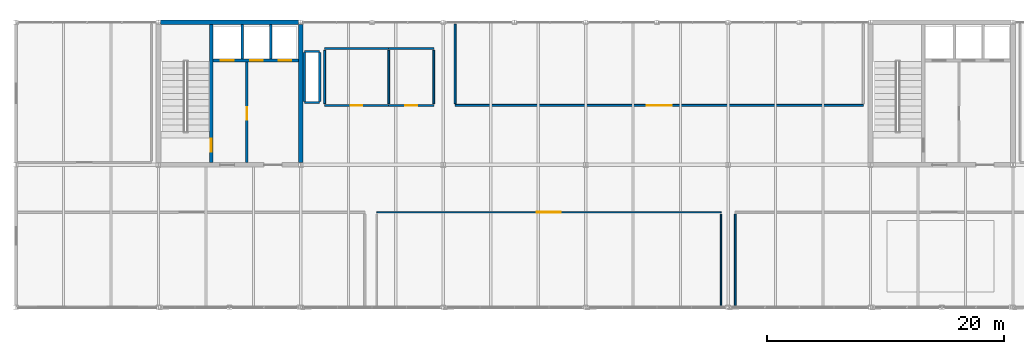
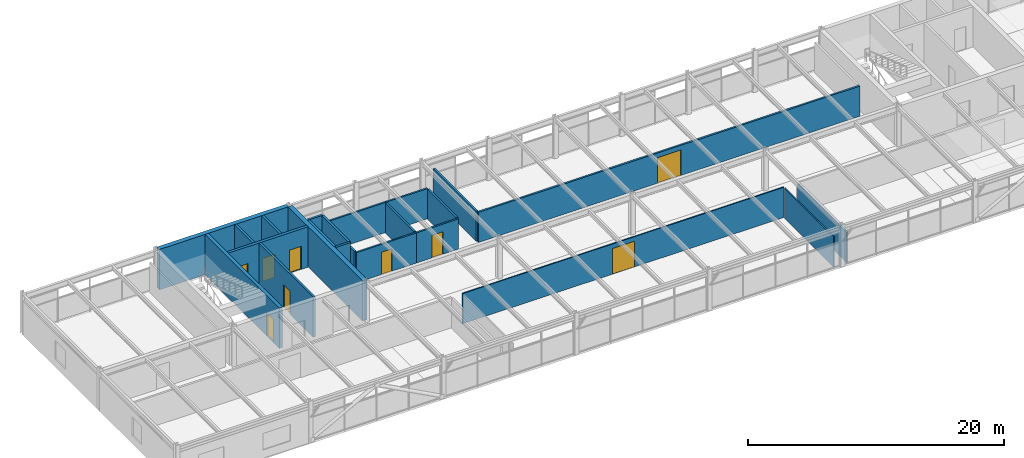
# One storey, part 36 of 40: 23 walls, 9 doors, 9 openings.
"""IFC4 building model written with IfcOpenShell, lengths in metres."""

from ifc_helpers import new_model, si_unit, direction, frame, frame_2d, origin, place, context, subcontext, project, spatial, rectangle, extrude, material, layer, layer_set, type_object, element, fill, save


model = new_model("IFC4")

# Units and contexts
model_context = context("Model", 3, precision=1e-05, world=origin(), true_north=direction((0.0, 1.0)))
body_context = subcontext(model_context, "Body", "Model", "MODEL_VIEW")
ifc_project = project(units=[si_unit("LENGTHUNIT", "METRE"), si_unit("AREAUNIT", "SQUARE_METRE"), si_unit("VOLUMEUNIT", "CUBIC_METRE"), si_unit("PLANEANGLEUNIT", "RADIAN"), si_unit("MASSUNIT", "GRAM", prefix="KILO")], contexts=[model_context])

# Site, building, storey
site_placement = place(None, origin())
site = spatial("IfcSite", under=ifc_project, at=site_placement, CompositionType="ELEMENT")
building_placement = place(site_placement, origin())
building = spatial("IfcBuilding", under=site, at=building_placement, Name="Girod Span Mobility Hub", CompositionType="ELEMENT")
storey_placement = place(building_placement, frame((0.0, 0.0, 57.60009765625)))
storey = spatial("IfcBuildingStorey", under=building, at=storey_placement, Name="L14", CompositionType="ELEMENT", Elevation=57.60009765625)

# Walls
ifc_material_1 = material(Name="Concrete C40/50", Category="concrete")
ifc_layer_1 = layer(ifc_material_1, 0.39990234375)
ifc_layer_set_1 = layer_set([ifc_layer_1], Name="Concrete C40/50")
wall_type_1 = type_object("IfcWallType", Name="W-CW-400", PredefinedType="SHEAR", material=ifc_layer_set_1)
wall_1_placement = place(storey_placement, frame((48.181396484375, 69.0, 0.0), z_axis=(0.0, 0.0, 1.0), x_axis=(1.0, 0.0, 0.0)))
element("IfcWall", 1, at=wall_1_placement, inside=storey, type_object=wall_type_1, Name="Core C1 Shear Wall N L14", PredefinedType="SHEAR", context=body_context, shape_type="SweptSolid", body=[
    extrude(rectangle(XDim=11.63720703125, YDim=0.39990234375, at=frame_2d((5.818603515625, 0.0))), origin(), (0.0, 0.0, 1.0), 3.852783203125),
])
wall_2_placement = place(storey_placement, frame((60.0, 57.1845703125, 0.0), z_axis=(0.0, 0.0, 1.0), x_axis=(0.0, 1.0, 0.0)))
element("IfcWall", 2, at=wall_2_placement, inside=storey, type_object=wall_type_1, Name="Core C1 Shear Wall E L14", PredefinedType="SHEAR", context=body_context, shape_type="SweptSolid", body=[
    extrude(rectangle(XDim=11.640380859375, YDim=0.39990234375, at=frame_2d((5.8203125, 0.0))), origin(), (0.0, 0.0, 1.0), 3.852783203125),
])

# Wall, opening, door
ifc_material_2 = material(Name="Concrete C40/50", Category="concrete")
ifc_layer_2 = layer(ifc_material_2, 0.18994140625)
ifc_layer_set_2 = layer_set([ifc_layer_2], Name="Concrete C40/50")
wall_type_2 = type_object("IfcWallType", Name="W-FL-190", PredefinedType="SOLIDWALL", material=ifc_layer_set_2)
wall_3_placement = place(storey_placement, frame((55.449951171875, 57.199951171875, 0.0), z_axis=(0.0, 0.0, 1.0), x_axis=(0.0, 1.0, 0.0)))
wall_3 = element("IfcWall", 3, at=wall_3_placement, inside=storey, type_object=wall_type_2, Name="Core C1 Firefighting Lobby Wall L14", PredefinedType="SOLIDWALL", context=body_context, shape_type="SweptSolid", body=[
    extrude(rectangle(XDim=8.47998046875, YDim=0.18994140625, at=frame_2d((4.239990234375, 0.0))), origin(), (0.0, 0.0, 1.0), 3.843017578125),
])
opening_1_placement = place(wall_3_placement, frame((3.60009765625, 0.0, 0.0)))
opening_1 = element("IfcOpeningElement", 4, at=opening_1_placement, cuts=wall_3, Name="Opening D-FLX-C1-L14", PredefinedType="OPENING", context=body_context, shape_type="SweptSolid", body=[
    extrude(rectangle(XDim=1.0400390625, YDim=2.179931640625, at=frame_2d((0.52001953125, 1.08984375))), frame((0.0, 0.10986328125, 0.0), z_axis=(0.0, -1.0, 0.0), x_axis=(1.0, 0.0, 0.0)), (0.0, 0.0, 1.0), 0.219970703125),
])
ifc_material_3 = material(Name="Fire-Rated Insulated Hollow Metal Steel", Category="steel")
door_type_1 = type_object("IfcDoorType", Name="DT-FD-02", OperationType="NOTDEFINED", PredefinedType="DOOR", material=ifc_material_3)
door_1_placement = place(opening_1_placement, origin())
door_1 = element("IfcDoor", 5, at=door_1_placement, inside=storey, type_object=door_type_1, Name="Firefighting Lobby Interconnect Door C1 L14", OperationType="SINGLE_SWING_RIGHT", OverallHeight=2.179931640625, OverallWidth=1.0400390625, PredefinedType="DOOR", context=body_context, shape_type="SweptSolid", body=[
    extrude(rectangle(XDim=1.0400390625, YDim=2.179931640625, at=frame_2d((0.52001953125, 1.08984375))), frame((0.0, 0.02490234375, 0.0), z_axis=(0.0, -1.0, 0.0), x_axis=(1.0, 0.0, 0.0)), (0.0, 0.0, 1.0), 0.050048828125),
])
fill(opening_1, door_1)

ifc_material_4 = material(Name="Fire-Rated Gypsum Board on Metal Studs", Category="gypsum")
ifc_layer_3 = layer(ifc_material_4, 0.1650390625)
ifc_layer_set_3 = layer_set([ifc_layer_3], Name="Fire-Rated Gypsum Board on Metal Studs")
wall_type_3 = type_object("IfcWallType", Name="W-FP-165", PredefinedType="PARTITIONING", material=ifc_layer_set_3)
wall_4_placement = place(storey_placement, frame((73.0, 62.0, 0.0), z_axis=(0.0, 0.0, 1.0), x_axis=(1.0, 0.0, 0.0)))
wall_4 = element("IfcWall", 6, at=wall_4_placement, inside=storey, type_object=wall_type_3, Name="Data Lab Server Room Partition S", PredefinedType="PARTITIONING", context=body_context, shape_type="SweptSolid", body=[
    extrude(rectangle(XDim=34.39990234375, YDim=0.1650390625, at=frame_2d((17.199951171875, 0.0))), origin(), (0.0, 0.0, 1.0), 2.8798828125),
])
opening_2_placement = place(wall_4_placement, frame((16.1298828125, 0.0, 0.0)))
opening_2 = element("IfcOpeningElement", 7, at=opening_2_placement, cuts=wall_4, Name="Opening D-L14-OFF-14NC", PredefinedType="OPENING", context=body_context, shape_type="SweptSolid", body=[
    extrude(rectangle(XDim=2.139892578125, YDim=2.43994140625, at=frame_2d((1.06982421875, 1.219970703125))), frame((0.0, 0.097412109375, 0.0), z_axis=(0.0, -1.0, 0.0), x_axis=(1.0, 0.0, 0.0)), (0.0, 0.0, 1.0), 0.195068359375),
])
ifc_material_5 = material(Name="Fire-Rated Insulated Hollow Metal Steel", Category="steel")
door_type_2 = type_object("IfcDoorType", Name="DT-FD-12", OperationType="DOUBLE_DOOR_SINGLE_SWING", PredefinedType="DOOR", material=ifc_material_5)
door_2_placement = place(opening_2_placement, origin())
door_2 = element("IfcDoor", 8, at=door_2_placement, inside=storey, type_object=door_type_2, Name="Data Lab Server Room Door", OperationType="DOUBLE_DOOR_SINGLE_SWING", OverallHeight=2.43994140625, OverallWidth=2.139892578125, PredefinedType="DOOR", context=body_context, shape_type="SweptSolid", body=[
    extrude(rectangle(XDim=2.139892578125, YDim=2.43994140625, at=frame_2d((1.06982421875, 1.219970703125))), frame((0.0, 0.02490234375, 0.0), z_axis=(0.0, -1.0, 0.0), x_axis=(1.0, 0.0, 0.0)), (0.0, 0.0, 1.0), 0.050048828125),
])
fill(opening_2, door_2)

# Wall
wall_5_placement = place(storey_placement, frame((73.0, 62.159912109375, 0.0), z_axis=(0.0, 0.0, 1.0), x_axis=(0.0, 1.0, 0.0)))
element("IfcWall", 9, at=wall_5_placement, inside=storey, type_object=wall_type_3, Name="Data Lab Server Room Partition W", PredefinedType="PARTITIONING", context=body_context, shape_type="SweptSolid", body=[
    extrude(rectangle(XDim=6.7001953125, YDim=0.1650390625, at=frame_2d((3.35009765625, 0.0))), origin(), (0.0, 0.0, 1.0), 2.8798828125),
])

# Wall, opening, door
ifc_material_6 = material(Name="Gypsum Acoustic Operable Panel on Galvanised Steel Framing", Category="steel")
ifc_layer_4 = layer(ifc_material_6, 0.10791015625)
ifc_layer_set_4 = layer_set([ifc_layer_4], Name="Gypsum Acoustic Operable Panel on Galvanised Steel Framing")
wall_type_4 = type_object("IfcWallType", Name="W-MOV-108", PredefinedType="MOVABLE", material=ifc_layer_set_4)
wall_6_placement = place(storey_placement, frame((66.39990234375, 53.0, 0.0), z_axis=(0.0, 0.0, 1.0), x_axis=(1.0, 0.0, 0.0)))
wall_6 = element("IfcWall", 10, at=wall_6_placement, inside=storey, type_object=wall_type_4, Name="Conference Room Analytics Partition N", PredefinedType="MOVABLE", context=body_context, shape_type="SweptSolid", body=[
    extrude(rectangle(XDim=29.0, YDim=0.10791015625, at=frame_2d((14.5, 0.0))), origin(), (0.0, 0.0, 1.0), 2.8798828125),
])
opening_3_placement = place(wall_6_placement, frame((13.4951171875, 0.0, 0.0)))
opening_3 = element("IfcOpeningElement", 11, at=opening_3_placement, cuts=wall_6, Name="Opening D-L14-CONF-14", PredefinedType="OPENING", context=body_context, shape_type="SweptSolid", body=[
    extrude(rectangle(XDim=2.010009765625, YDim=2.449951171875, at=frame_2d((1.0048828125, 1.22509765625))), frame((0.0, 0.06884765625, 0.0), z_axis=(0.0, -1.0, 0.0), x_axis=(1.0, 0.0, 0.0)), (0.0, 0.0, 1.0), 0.137939453125),
])
ifc_material_7 = material(Name="Solid-Core Architectural Timber", Category="wood")
door_type_3 = type_object("IfcDoorType", Name="DT-NR-21", OperationType="DOUBLE_DOOR_SINGLE_SWING", PredefinedType="DOOR", material=ifc_material_7)
door_3_placement = place(opening_3_placement, origin())
door_3 = element("IfcDoor", 12, at=door_3_placement, inside=storey, type_object=door_type_3, Name="Conference Room Analytics Door", OperationType="DOUBLE_DOOR_SINGLE_SWING", OverallHeight=2.449951171875, OverallWidth=2.010009765625, PredefinedType="DOOR", context=body_context, shape_type="SweptSolid", body=[
    extrude(rectangle(XDim=2.010009765625, YDim=2.449951171875, at=frame_2d((1.0048828125, 1.22509765625))), frame((0.0, 0.02490234375, 0.0), z_axis=(0.0, -1.0, 0.0), x_axis=(1.0, 0.0, 0.0)), (0.0, 0.0, 1.0), 0.050048828125),
])
fill(opening_3, door_3)

# Wall
wall_7_placement = place(storey_placement, frame((95.39990234375, 45.139892578125, 0.0), z_axis=(0.0, 0.0, 1.0), x_axis=(0.0, 1.0, 0.0)))
element("IfcWall", 13, at=wall_7_placement, inside=storey, type_object=wall_type_4, Name="Conference Room Analytics Partition E", PredefinedType="MOVABLE", context=body_context, shape_type="SweptSolid", body=[
    extrude(rectangle(XDim=7.7001953125, YDim=0.10791015625, at=frame_2d((3.85009765625, 0.0))), origin(), (0.0, 0.0, 1.0), 2.8798828125),
])

# Wall, opening, door
ifc_material_8 = material(Name="Fire-Rated Gypsum Board on Metal Studs", Category="gypsum")
ifc_layer_5 = layer(ifc_material_8, 0.155029296875)
ifc_layer_set_5 = layer_set([ifc_layer_5], Name="Fire-Rated Gypsum Board on Metal Studs")
wall_type_5 = type_object("IfcWallType", Name="W-PLB-155", PredefinedType="PLUMBINGWALL", material=ifc_layer_set_5)
wall_8_placement = place(storey_placement, frame((62.0, 62.0, 0.0), z_axis=(0.0, 0.0, 1.0), x_axis=(1.0, 0.0, 0.0)))
wall_8 = element("IfcWall", 14, at=wall_8_placement, inside=storey, type_object=wall_type_5, Name="Restroom L14 Partition S", PredefinedType="PLUMBINGWALL", context=body_context, shape_type="SweptSolid", body=[
    extrude(rectangle(XDim=5.39990234375, YDim=0.155029296875, at=frame_2d((2.699951171875, 0.0))), origin(), (0.0, 0.0, 1.0), 2.8798828125),
])
opening_4_placement = place(wall_8_placement, frame((2.22509765625, 0.0, 0.0)))
opening_4 = element("IfcOpeningElement", 15, at=opening_4_placement, cuts=wall_8, Name="Opening D-L14-WC-MAIN", PredefinedType="OPENING", context=body_context, shape_type="SweptSolid", body=[
    extrude(rectangle(XDim=0.949951171875, YDim=2.1298828125, at=frame_2d((0.47509765625, 1.06494140625))), frame((0.0, 0.092529296875, 0.0), z_axis=(0.0, -1.0, 0.0), x_axis=(1.0, 0.0, 0.0)), (0.0, 0.0, 1.0), 0.18505859375),
])
ifc_material_9 = material(Name="Solid-Core Architectural Timber", Category="wood")
door_type_4 = type_object("IfcDoorType", Name="DT-NR-02", OperationType="NOTDEFINED", PredefinedType="DOOR", material=ifc_material_9)
door_4_placement = place(opening_4_placement, origin())
door_4 = element("IfcDoor", 16, at=door_4_placement, inside=storey, type_object=door_type_4, Name="Restroom L14 Door", OperationType="SINGLE_SWING_RIGHT", OverallHeight=2.1298828125, OverallWidth=0.949951171875, PredefinedType="DOOR", context=body_context, shape_type="SweptSolid", body=[
    extrude(rectangle(XDim=0.949951171875, YDim=2.1298828125, at=frame_2d((0.47509765625, 1.06494140625))), frame((0.0, 0.02490234375, 0.0), z_axis=(0.0, -1.0, 0.0), x_axis=(1.0, 0.0, 0.0)), (0.0, 0.0, 1.0), 0.050048828125),
])
fill(opening_4, door_4)

# Walls
wall_9_placement = place(storey_placement, frame((62.0, 66.800048828125, 0.0), z_axis=(0.0, 0.0, 1.0), x_axis=(1.0, 0.0, 0.0)))
element("IfcWall", 17, at=wall_9_placement, inside=storey, type_object=wall_type_5, Name="Restroom L14 Partition N", PredefinedType="PLUMBINGWALL", context=body_context, shape_type="SweptSolid", body=[
    extrude(rectangle(XDim=5.39990234375, YDim=0.155029296875, at=frame_2d((2.699951171875, 0.0))), origin(), (0.0, 0.0, 1.0), 2.8798828125),
])
for number, where, z_axis, x_axis, name in (
    (18, (62.0, 62.159912109375, 0.0), (0.0, 0.0, 1.0), (0.0, 1.0, 0.0), "Restroom L14 Partition W"),
    (19, (67.39990234375, 62.159912109375, 0.0), (0.0, 0.0, 1.0), (0.0, 1.0, 0.0), "Restroom L14 Partition E"),
):
    element("IfcWall", number, at=place(storey_placement, frame(where, z_axis=z_axis, x_axis=x_axis)), inside=storey, type_object=wall_type_5, Name=name, PredefinedType="PLUMBINGWALL", context=body_context, shape_type="SweptSolid", body=[
        extrude(rectangle(XDim=4.47998046875, YDim=0.155029296875, at=frame_2d((2.239990234375, 0.0))), origin(), (0.0, 0.0, 1.0), 2.8798828125),
    ])

# Wall, opening, door
wall_10_placement = place(storey_placement, frame((67.39990234375, 62.0, 0.0), z_axis=(0.0, 0.0, 1.0), x_axis=(1.0, 0.0, 0.0)))
wall_10 = element("IfcWall", 20, at=wall_10_placement, inside=storey, type_object=wall_type_5, Name="Accessible WC L14 Partition S", PredefinedType="PLUMBINGWALL", context=body_context, shape_type="SweptSolid", body=[
    extrude(rectangle(XDim=3.800048828125, YDim=0.155029296875, at=frame_2d((1.89990234375, 0.0))), origin(), (0.0, 0.0, 1.0), 2.8798828125),
])
opening_5_placement = place(wall_10_placement, frame((1.405029296875, 0.0, 0.0)))
opening_5 = element("IfcOpeningElement", 21, at=opening_5_placement, cuts=wall_10, Name="Opening D-L14-WC-ACC", PredefinedType="OPENING", context=body_context, shape_type="SweptSolid", body=[
    extrude(rectangle(XDim=0.989990234375, YDim=2.14990234375, at=frame_2d((0.4951171875, 1.074951171875))), frame((0.0, 0.092529296875, 0.0), z_axis=(0.0, -1.0, 0.0), x_axis=(1.0, 0.0, 0.0)), (0.0, 0.0, 1.0), 0.18505859375),
])
ifc_material_10 = material(Name="Solid-Core Architectural Timber", Category="wood")
door_type_5 = type_object("IfcDoorType", Name="DT-NR-03", OperationType="NOTDEFINED", PredefinedType="DOOR", material=ifc_material_10)
door_5_placement = place(opening_5_placement, origin())
door_5 = element("IfcDoor", 22, at=door_5_placement, inside=storey, type_object=door_type_5, Name="Accessible WC L14 Door", OperationType="SINGLE_SWING_LEFT", OverallHeight=2.14990234375, OverallWidth=0.989990234375, PredefinedType="DOOR", context=body_context, shape_type="SweptSolid", body=[
    extrude(rectangle(XDim=0.989990234375, YDim=2.14990234375, at=frame_2d((0.4951171875, 1.074951171875))), frame((0.0, 0.02490234375, 0.0), z_axis=(0.0, -1.0, 0.0), x_axis=(1.0, 0.0, 0.0)), (0.0, 0.0, 1.0), 0.050048828125),
])
fill(opening_5, door_5)

# Walls
wall_11_placement = place(storey_placement, frame((67.39990234375, 66.800048828125, 0.0), z_axis=(0.0, 0.0, 1.0), x_axis=(1.0, 0.0, 0.0)))
element("IfcWall", 23, at=wall_11_placement, inside=storey, type_object=wall_type_5, Name="Accessible WC L14 Partition N", PredefinedType="PLUMBINGWALL", context=body_context, shape_type="SweptSolid", body=[
    extrude(rectangle(XDim=3.800048828125, YDim=0.155029296875, at=frame_2d((1.89990234375, 0.0))), origin(), (0.0, 0.0, 1.0), 2.8798828125),
])
wall_12_placement = place(storey_placement, frame((71.199951171875, 62.159912109375, 0.0), z_axis=(0.0, 0.0, 1.0), x_axis=(0.0, 1.0, 0.0)))
element("IfcWall", 24, at=wall_12_placement, inside=storey, type_object=wall_type_5, Name="Accessible WC L14 Partition E", PredefinedType="PLUMBINGWALL", context=body_context, shape_type="SweptSolid", body=[
    extrude(rectangle(XDim=4.47998046875, YDim=0.155029296875, at=frame_2d((2.239990234375, 0.0))), origin(), (0.0, 0.0, 1.0), 2.8798828125),
])
ifc_material_11 = material(Name="Fire-Rated Gypsum Board on Metal Studs", Category="gypsum")
ifc_layer_6 = layer(ifc_material_11, 0.139892578125)
ifc_layer_set_6 = layer_set([ifc_layer_6], Name="Fire-Rated Gypsum Board on Metal Studs")
wall_type_6 = type_object("IfcWallType", Name="W-PT-140", PredefinedType="PARTITIONING", material=ifc_layer_set_6)
wall_13_placement = place(storey_placement, frame((96.60009765625, 45.139892578125, 0.0), z_axis=(0.0, 0.0, 1.0), x_axis=(0.0, 1.0, 0.0)))
element("IfcWall", 25, at=wall_13_placement, inside=storey, type_object=wall_type_6, Name="Planning Studio Digital Twin Partition W", PredefinedType="PARTITIONING", context=body_context, shape_type="SweptSolid", body=[
    extrude(rectangle(XDim=7.7001953125, YDim=0.139892578125, at=frame_2d((3.85009765625, 0.0))), origin(), (0.0, 0.0, 1.0), 2.8798828125),
])
ifc_material_12 = material(Name="Concrete C40/50", Category="concrete")
ifc_layer_7 = layer(ifc_material_12, 0.199951171875)
ifc_layer_set_7 = layer_set([ifc_layer_7], Name="Concrete C40/50")
wall_type_7 = type_object("IfcWallType", Name="W-SH-200", PredefinedType="SOLIDWALL", material=ifc_layer_set_7)
for number, where, z_axis, x_axis, name in (
    (26, (60.297119140625, 62.25, 0.0), (0.0, 0.0, 1.0), (1.0, 0.0, 0.0), "Sanitary Wet Riser Shaft Wall S L14"),
    (27, (60.297119140625, 66.550048828125, 0.0), (0.0, 0.0, 1.0), (1.0, 0.0, 0.0), "Sanitary Wet Riser Shaft Wall N L14"),
):
    element("IfcWall", number, at=place(storey_placement, frame(where, z_axis=z_axis, x_axis=x_axis)), inside=storey, type_object=wall_type_7, Name=name, PredefinedType="SOLIDWALL", context=body_context, shape_type="SweptSolid", body=[
        extrude(rectangle(XDim=1.282958984375, YDim=0.199951171875, at=frame_2d((0.6416015625, 0.0))), origin(), (0.0, 0.0, 1.0), 3.852783203125),
    ])
for number, where, z_axis, x_axis, name in (
    (28, (60.297119140625, 62.330078125, 0.0), (0.0, 0.0, 1.0), (0.0, 1.0, 0.0), "Sanitary Wet Riser Shaft Wall W L14"),
    (29, (61.580078125, 62.330078125, 0.0), (0.0, 0.0, 1.0), (0.0, 1.0, 0.0), "Sanitary Wet Riser Shaft Wall E L14"),
):
    element("IfcWall", number, at=place(storey_placement, frame(where, z_axis=z_axis, x_axis=x_axis)), inside=storey, type_object=wall_type_7, Name=name, PredefinedType="SOLIDWALL", context=body_context, shape_type="SweptSolid", body=[
        extrude(rectangle(XDim=4.139892578125, YDim=0.199951171875, at=frame_2d((2.06982421875, 0.0))), origin(), (0.0, 0.0, 1.0), 3.852783203125),
    ])
for number, where, z_axis, x_axis, name in (
    (30, (55.050048828125, 65.919921875, 0.0), (0.0, 0.0, 1.0), (0.0, 1.0, 0.0), "Core C1 Shaft Divider 1 L14"),
    (31, (57.47998046875, 65.919921875, 0.0), (0.0, 0.0, 1.0), (0.0, 1.0, 0.0), "Core C1 Shaft Divider 2 L14"),
):
    element("IfcWall", number, at=place(storey_placement, frame(where, z_axis=z_axis, x_axis=x_axis)), inside=storey, type_object=wall_type_7, Name=name, PredefinedType="SOLIDWALL", context=body_context, shape_type="SweptSolid", body=[
        extrude(rectangle(XDim=2.880126953125, YDim=0.199951171875, at=frame_2d((1.43994140625, 0.0))), origin(), (0.0, 0.0, 1.0), 3.843017578125),
    ])

# Wall, openings, doors
ifc_material_13 = material(Name="Concrete C40/50", Category="concrete")
ifc_layer_8 = layer(ifc_material_13, 0.25)
ifc_layer_set_8 = layer_set([ifc_layer_8], Name="Concrete C40/50")
wall_type_8 = type_object("IfcWallType", Name="W-SH-250", PredefinedType="SOLIDWALL", material=ifc_layer_set_8)
wall_14_placement = place(storey_placement, frame((52.596923828125, 65.800048828125, 0.0), z_axis=(0.0, 0.0, 1.0), x_axis=(1.0, 0.0, 0.0)))
wall_14 = element("IfcWall", 32, at=wall_14_placement, inside=storey, type_object=wall_type_8, Name="Core C1 Hoistway Front Wall L14", PredefinedType="SOLIDWALL", context=body_context, shape_type="SweptSolid", body=[
    extrude(rectangle(XDim=7.2060546875, YDim=0.25, at=frame_2d((3.60302734375, 0.0))), origin(), (0.0, 0.0, 1.0), 3.852783203125),
])
opening_6_placement = place(wall_14_placement, frame((0.653076171875, 0.0, 0.0)))
opening_6 = element("IfcOpeningElement", 33, at=opening_6_placement, cuts=wall_14, Name="Opening LD-FL-1-L14", PredefinedType="OPENING", context=body_context, shape_type="SweptSolid", body=[
    extrude(rectangle(XDim=1.10009765625, YDim=2.239990234375, at=frame_2d((0.550048828125, 1.1201171875))), frame((0.0, 0.139892578125, 0.0), z_axis=(0.0, -1.0, 0.0), x_axis=(1.0, 0.0, 0.0)), (0.0, 0.0, 1.0), 0.280029296875),
])
opening_7_placement = place(wall_14_placement, frame((3.153076171875, 0.0, 0.0)))
opening_7 = element("IfcOpeningElement", 34, at=opening_7_placement, cuts=wall_14, Name="Opening LD-LP-1-L14", PredefinedType="OPENING", context=body_context, shape_type="SweptSolid", body=[
    extrude(rectangle(XDim=1.050048828125, YDim=2.199951171875, at=frame_2d((0.52490234375, 1.10009765625))), frame((0.0, 0.139892578125, 0.0), z_axis=(0.0, -1.0, 0.0), x_axis=(1.0, 0.0, 0.0)), (0.0, 0.0, 1.0), 0.280029296875),
])
opening_8_placement = place(wall_14_placement, frame((5.528076171875, 0.0, 0.0)))
opening_8 = element("IfcOpeningElement", 35, at=opening_8_placement, cuts=wall_14, Name="Opening LD-LP-2-L14", PredefinedType="OPENING", context=body_context, shape_type="SweptSolid", body=[
    extrude(rectangle(XDim=1.050048828125, YDim=2.199951171875, at=frame_2d((0.52490234375, 1.10009765625))), frame((0.0, 0.139892578125, 0.0), z_axis=(0.0, -1.0, 0.0), x_axis=(1.0, 0.0, 0.0)), (0.0, 0.0, 1.0), 0.280029296875),
])
ifc_material_14 = material(Name="Brushed Stainless Steel Grade 304", Category="steel")
door_type_6 = type_object("IfcDoorType", Name="LD-FL-110", OperationType="SLIDING_TO_LEFT", PredefinedType="USERDEFINED", material=ifc_material_14)
door_6_placement = place(opening_6_placement, origin())
door_6 = element("IfcDoor", 36, at=door_6_placement, inside=storey, type_object=door_type_6, Name="Lift FL-1 Sliding Landing Door L14", ObjectType="LANDING DOOR", OperationType="SLIDING_TO_LEFT", OverallHeight=2.239990234375, OverallWidth=1.10009765625, PredefinedType="USERDEFINED", context=body_context, shape_type="SweptSolid", body=[
    extrude(rectangle(XDim=1.10009765625, YDim=2.239990234375, at=frame_2d((0.550048828125, 1.1201171875))), frame((0.0, 0.02490234375, 0.0), z_axis=(0.0, -1.0, 0.0), x_axis=(1.0, 0.0, 0.0)), (0.0, 0.0, 1.0), 0.050048828125),
])
fill(opening_6, door_6)
ifc_material_15 = material(Name="Brushed Stainless Steel Grade 304", Category="steel")
door_type_7 = type_object("IfcDoorType", Name="LD-LP-105", OperationType="SLIDING_TO_LEFT", PredefinedType="USERDEFINED", material=ifc_material_15)
door_7_placement = place(opening_7_placement, origin())
door_7 = element("IfcDoor", 37, at=door_7_placement, inside=storey, type_object=door_type_7, Name="Lift LP-1 Sliding Landing Door L14", ObjectType="LANDING DOOR", OperationType="SLIDING_TO_LEFT", OverallHeight=2.199951171875, OverallWidth=1.050048828125, PredefinedType="USERDEFINED", context=body_context, shape_type="SweptSolid", body=[
    extrude(rectangle(XDim=1.050048828125, YDim=2.199951171875, at=frame_2d((0.52490234375, 1.10009765625))), frame((0.0, 0.02490234375, 0.0), z_axis=(0.0, -1.0, 0.0), x_axis=(1.0, 0.0, 0.0)), (0.0, 0.0, 1.0), 0.050048828125),
])
fill(opening_7, door_7)
door_8_placement = place(opening_8_placement, origin())
door_8 = element("IfcDoor", 38, at=door_8_placement, inside=storey, type_object=door_type_7, Name="Lift LP-2 Sliding Landing Door L14", ObjectType="LANDING DOOR", OperationType="SLIDING_TO_LEFT", OverallHeight=2.199951171875, OverallWidth=1.050048828125, PredefinedType="USERDEFINED", context=body_context, shape_type="SweptSolid", body=[
    extrude(rectangle(XDim=1.050048828125, YDim=2.199951171875, at=frame_2d((0.52490234375, 1.10009765625))), frame((0.0, 0.02490234375, 0.0), z_axis=(0.0, -1.0, 0.0), x_axis=(1.0, 0.0, 0.0)), (0.0, 0.0, 1.0), 0.050048828125),
])
fill(opening_8, door_8)

# Wall, opening, door
ifc_material_16 = material(Name="Concrete C40/50", Category="concrete")
ifc_layer_9 = layer(ifc_material_16, 0.300048828125)
ifc_layer_set_9 = layer_set([ifc_layer_9], Name="Concrete C40/50")
wall_type_9 = type_object("IfcWallType", Name="W-SH-300", PredefinedType="SHEAR", material=ifc_layer_set_9)
wall_15_placement = place(storey_placement, frame((52.449951171875, 57.197021484375, 0.0), z_axis=(0.0, 0.0, 1.0), x_axis=(0.0, 1.0, 0.0)))
wall_15 = element("IfcWall", 39, at=wall_15_placement, inside=storey, type_object=wall_type_9, Name="Core C1 Stairwell Spine Wall L14", PredefinedType="SHEAR", context=body_context, shape_type="SweptSolid", body=[
    extrude(rectangle(XDim=11.60595703125, YDim=0.300048828125, at=frame_2d((5.802978515625, 0.0))), origin(), (0.0, 0.0, 1.0), 3.852783203125),
])
opening_9_placement = place(wall_15_placement, frame((0.89990234375, 0.0, 0.0)))
opening_9 = element("IfcOpeningElement", 40, at=opening_9_placement, cuts=wall_15, Name="Opening D-ST-1-L14", PredefinedType="OPENING", context=body_context, shape_type="SweptSolid", body=[
    extrude(rectangle(XDim=1.10009765625, YDim=2.199951171875, at=frame_2d((0.550048828125, 1.10009765625))), frame((0.0, 0.1650390625, 0.0), z_axis=(0.0, -1.0, 0.0), x_axis=(1.0, 0.0, 0.0)), (0.0, 0.0, 1.0), 0.330078125),
])
ifc_material_17 = material(Name="Fire-Rated Insulated Hollow Metal Steel", Category="steel")
door_type_8 = type_object("IfcDoorType", Name="DT-FD-01", OperationType="NOTDEFINED", PredefinedType="DOOR", material=ifc_material_17)
door_9_placement = place(opening_9_placement, origin())
door_9 = element("IfcDoor", 41, at=door_9_placement, inside=storey, type_object=door_type_8, Name="Stair ST-1 Fire Door L14", OperationType="SINGLE_SWING_LEFT", OverallHeight=2.199951171875, OverallWidth=1.10009765625, PredefinedType="DOOR", context=body_context, shape_type="SweptSolid", body=[
    extrude(rectangle(XDim=1.10009765625, YDim=2.199951171875, at=frame_2d((0.550048828125, 1.10009765625))), frame((0.0, 0.02490234375, 0.0), z_axis=(0.0, -1.0, 0.0), x_axis=(1.0, 0.0, 0.0)), (0.0, 0.0, 1.0), 0.050048828125),
])
fill(opening_9, door_9)

save(model, "model.ifc")
